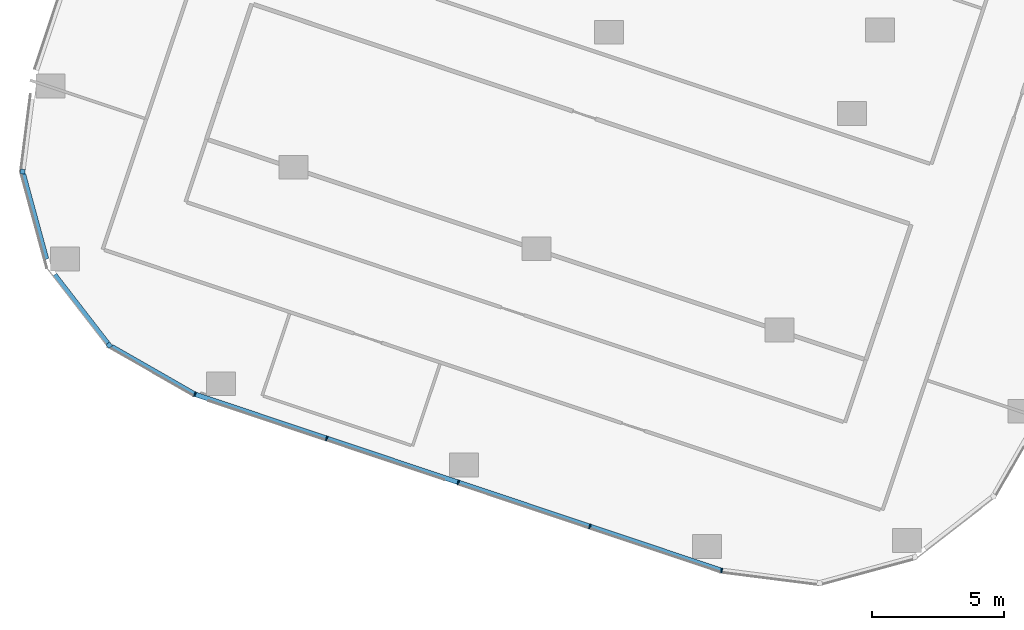
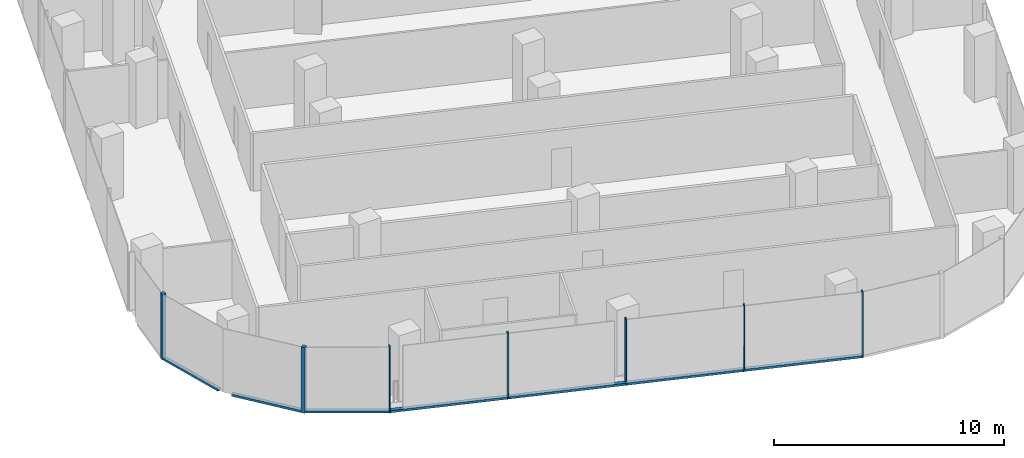
# One storey, part 2 of 32: 11 members, 5 elements without a shape of their own.
"""IFC4 building model written with IfcOpenShell, lengths in metres."""

import ifcopenshell
import ifcopenshell.guid

model = None  # the IFC model being written
_history = None  # IfcOwnerHistory: only IFC2X3 demands one
_inside = {}  # id of a spatial element -> (the spatial element, [elements in it])
_under = {}  # id of a project, library or spatial element -> (it, [spatial elements below it])
_declared = {}  # id of a project -> (the project, [libraries it declares])
_typed = {}  # id of a type object -> (the type object, [elements of that type])
_made_of = {}  # id of a material, layer set ... -> (it, [elements and type objects made of it])


def new_model(schema):
    """Start an empty IFC model of exactly this schema.

    Asked for "IFC4X3", IfcOpenShell would pick the latest addendum, in which some entities
    have other attributes; the version numbers below select the first issue.
    IFC2X3 requires an IfcOwnerHistory on every rooted entity: one is made here for all.
    """
    global model, _history
    if schema == "IFC4X3":
        model = ifcopenshell.file(schema_version=(4, 3, 0, 0))
    else:
        model = ifcopenshell.file(schema=schema)
    _inside.clear()
    _under.clear()
    _declared.clear()
    _typed.clear()
    _made_of.clear()
    _history = None
    if model.schema == "IFC2X3":
        org = make("IfcOrganization", Name="unknown")
        user = make(
            "IfcPersonAndOrganization",
            ThePerson=make("IfcPerson", FamilyName="unknown"),
            TheOrganization=org,
        )
        app = make(
            "IfcApplication",
            ApplicationDeveloper=org,
            Version="unknown",
            ApplicationFullName="unknown",
            ApplicationIdentifier="unknown",
        )
        _history = make(
            "IfcOwnerHistory",
            OwningUser=user,
            OwningApplication=app,
            ChangeAction="ADDED",
            CreationDate=0,
        )
    return model


def make(cls, **values):
    """One entity of the class cls with the attributes given. An attribute that is None is left unset."""
    return model.create_entity(
        cls, **{name: value for name, value in values.items() if value is not None}
    )


def rooted(cls, **values):
    """An entity with a GlobalId (a new one), such as an element, a storey or a relation."""
    return make(cls, GlobalId=ifcopenshell.guid.new(), OwnerHistory=_history, **values)


def si_unit(unit_type, name, prefix=None):
    """IfcSIUnit, for example si_unit("LENGTHUNIT", "METRE", prefix="MILLI")."""
    return make("IfcSIUnit", UnitType=unit_type, Prefix=prefix, Name=name)


def assignment(units):
    """IfcUnitAssignment: the units of a project."""
    return None if units is None else make("IfcUnitAssignment", Units=units)


def point(xyz):
    """IfcCartesianPoint."""
    return None if xyz is None else make("IfcCartesianPoint", Coordinates=xyz)


def direction(xyz):
    """IfcDirection."""
    return None if xyz is None else make("IfcDirection", DirectionRatios=xyz)


def frame(location, z_axis=None, x_axis=None):
    """IfcAxis2Placement3D, a coordinate frame: its origin and axes. An axis left out is left unset."""
    return make(
        "IfcAxis2Placement3D",
        Location=point(location),
        Axis=direction(z_axis),
        RefDirection=direction(x_axis),
    )


def frame_2d(location, x_axis=None):
    """IfcAxis2Placement2D, a coordinate frame in the plane: its origin and x axis."""
    return make(
        "IfcAxis2Placement2D", Location=point(location), RefDirection=direction(x_axis)
    )


def origin():
    """The frame at (0, 0, 0) with its axes left unset."""
    return frame((0.0, 0.0, 0.0))


def origin_2d():
    """The frame at (0, 0) in the plane with its x axis left unset."""
    return frame_2d((0.0, 0.0))


def place(relative_to, where):
    """IfcLocalPlacement: puts the frame where relative to a parent placement (None: the world)."""
    return make(
        "IfcLocalPlacement", PlacementRelTo=relative_to, RelativePlacement=where
    )


def context(
    kind, dimensions, precision=None, world=None, true_north=None, identifier=None
):
    """IfcGeometricRepresentationContext, for example the 3D "Model" context."""
    return make(
        "IfcGeometricRepresentationContext",
        ContextIdentifier=identifier,
        ContextType=kind,
        CoordinateSpaceDimension=dimensions,
        Precision=precision,
        WorldCoordinateSystem=world,
        TrueNorth=true_north,
    )


def subcontext(parent, identifier, kind, view, scale=None):
    """IfcGeometricRepresentationSubContext, for example "Body" below "Model"."""
    return make(
        "IfcGeometricRepresentationSubContext",
        ContextIdentifier=identifier,
        ContextType=kind,
        ParentContext=parent,
        TargetScale=scale,
        TargetView=view,
    )


def project(units=None, contexts=None):
    """IfcProject with its units and contexts."""
    return rooted(
        "IfcProject",
        Name="project",
        RepresentationContexts=contexts,
        UnitsInContext=assignment(units),
    )


def spatial(cls, under=None, at=None, **own):
    """A site, building, storey or space (cls), placed at a placement, below another one or the project."""
    s = rooted(cls, ObjectPlacement=at, **own)
    if under is not None:
        _under.setdefault(under.id(), (under, []))[1].append(s)
    return s


def profile(cls, at=None, kind="AREA", **sizes):
    """A parametric profile (cls). Its sizes go by their IFC names, for example OverallWidth=200.0."""
    return make(cls, ProfileType=kind, Position=at, **sizes)


def rectangle(**sizes):
    """IfcRectangleProfileDef."""
    return profile("IfcRectangleProfileDef", **sizes)


def extrude(swept, where, along, depth):
    """IfcExtrudedAreaSolid: the profile swept, set in the frame where, extruded along a direction by depth."""
    return make(
        "IfcExtrudedAreaSolid",
        SweptArea=swept,
        Position=where,
        ExtrudedDirection=direction(along),
        Depth=depth,
    )


def shape(context_of_items, identifier, shape_type, items):
    """IfcShapeRepresentation: the items that make up one representation, for example the "Body"."""
    return make(
        "IfcShapeRepresentation",
        ContextOfItems=context_of_items,
        RepresentationIdentifier=identifier,
        RepresentationType=shape_type,
        Items=items,
    )


def material(Name=None, Category=None):
    """IfcMaterial."""
    return make("IfcMaterial", Name=Name, Category=Category)


def material_profile(
    of_material, cross_section, Name=None, Category=None, Priority=None
):
    """IfcMaterialProfile: a cross section and its material."""
    return make(
        "IfcMaterialProfile",
        Name=Name,
        Material=of_material,
        Profile=cross_section,
        Priority=Priority,
        Category=Category,
    )


def profile_set(profiles, Name=None, composite=None):
    """IfcMaterialProfileSet."""
    return make(
        "IfcMaterialProfileSet",
        Name=Name,
        MaterialProfiles=profiles,
        CompositeProfile=composite,
    )


def made_of(thing, what):
    """Note that an element or type object is made of a material, layer set ...; save() writes the relation."""
    if what is not None:
        _made_of.setdefault(what.id(), (what, []))[1].append(thing)
    return thing


def type_object(cls, material=None, **own):
    """A type object (cls), such as IfcWallType, which elements share."""
    return made_of(rooted(cls, **own), material)


def element(
    cls,
    number,
    at=None,
    inside=None,
    cuts=None,
    type_object=None,
    material=None,
    context=None,
    identifier="Body",
    shape_type=None,
    held_by="IfcProductDefinitionShape",
    body=None,
    shapes=None,
    **own,
):
    """One element of the class cls, such as IfcWall. Its Tag is "e" and its number.

    at: its placement. inside: the storey or other place that contains it. cuts: it is an
    opening in that element (IfcRelVoidsElement). A single representation is given by context,
    identifier, shape_type and body (its items); several are given by shapes. held_by: the class
    of the entity that holds the representations. save() writes the other relations.
    """
    e = rooted(cls, Tag="e%d" % number, ObjectPlacement=at, **own)
    if body is not None:
        shapes = [shape(context, identifier, shape_type, body)]
    if shapes is not None:
        e.Representation = make(held_by, Representations=shapes)
    if inside is not None:
        _inside.setdefault(inside.id(), (inside, []))[1].append(e)
    if cuts is not None:
        rooted(
            "IfcRelVoidsElement", RelatingBuildingElement=cuts, RelatedOpeningElement=e
        )
    if type_object is not None:
        _typed.setdefault(type_object.id(), (type_object, []))[1].append(e)
    return made_of(e, material)


def aggregate(whole, parts):
    """IfcRelAggregates: a whole, such as a stair, and the parts it consists of."""
    return rooted("IfcRelAggregates", RelatingObject=whole, RelatedObjects=parts)


def save(model, path):
    """Write the relations noted so far, then the file.

    IfcRelAggregates (storeys below a building ...), IfcRelContainedInSpatialStructure (elements
    in a storey), IfcRelDefinesByType, IfcRelAssociatesMaterial and IfcRelDeclares: one each for
    every whole, place, type object, material and project.
    """
    for whole, parts in _under.values():
        aggregate(whole, parts)
    for where, things in _inside.values():
        rooted(
            "IfcRelContainedInSpatialStructure",
            RelatedElements=things,
            RelatingStructure=where,
        )
    for kind, things in _typed.values():
        rooted("IfcRelDefinesByType", RelatedObjects=things, RelatingType=kind)
    for what, things in _made_of.values():
        rooted("IfcRelAssociatesMaterial", RelatedObjects=things, RelatingMaterial=what)
    for by, libraries in _declared.values():
        rooted("IfcRelDeclares", RelatingContext=by, RelatedDefinitions=libraries)
    model.write(path)


model = new_model("IFC4")

# Units and contexts
model_context = context("Model", 3, precision=1e-05, world=origin(), true_north=direction((0.0, 1.0)))
body_context = subcontext(model_context, "Body", "Model", "MODEL_VIEW")
ifc_project = project(units=[si_unit("LENGTHUNIT", "METRE"), si_unit("AREAUNIT", "SQUARE_METRE"), si_unit("VOLUMEUNIT", "CUBIC_METRE"), si_unit("PLANEANGLEUNIT", "RADIAN"), si_unit("MASSUNIT", "GRAM", prefix="KILO")], contexts=[model_context])

# Site, building, storey
site_placement = place(None, origin())
site = spatial("IfcSite", under=ifc_project, at=site_placement, CompositionType="ELEMENT")
building_placement = place(site_placement, origin())
building = spatial("IfcBuilding", under=site, at=building_placement, Name="Orlundy Tower", CompositionType="ELEMENT")
storey_placement = place(building_placement, frame((0.0, 0.0, 149.10009765625)))
storey = spatial("IfcBuildingStorey", under=building, at=storey_placement, Name="L38", CompositionType="ELEMENT", Elevation=149.10009765625)

# Curtain wall, member
ifc_material_1 = material(Name="Aluminium bronze anodised", Category="aluminium")
curtain_wall_type = type_object("IfcCurtainWallType", Name="CW1 wall", PredefinedType="NOTDEFINED", material=ifc_material_1)
curtain_wall_1_placement = place(storey_placement, origin())
curtain_wall_1 = element("IfcCurtainWall", 1, at=curtain_wall_1_placement, inside=storey, type_object=curtain_wall_type, Name="CW1 run 09", PredefinedType="NOTDEFINED")
ifc_material_2 = material(Name="Aluminium bronze anodised", Category="aluminium")
ifc_material_profile_1 = material_profile(ifc_material_2, rectangle(XDim=0.179931640625, YDim=0.179931640625, at=origin_2d()), Name="CW1 corner post 180x180")
ifc_profile_set_1 = profile_set([ifc_material_profile_1], Name="Aluminium bronze anodised")
member_type_1 = type_object("IfcMemberType", Name="CW1 corner post 180x180", PredefinedType="MULLION", material=ifc_profile_set_1)
member_1_placement = place(storey_placement, frame((-32.115234375, -51.3232421875, -0.400146484375), z_axis=(0.0, 0.0, 1.0), x_axis=(-0.790614183516, -0.61231463548, 0.0)))
member_1 = element("IfcMember", 2, at=member_1_placement, type_object=member_type_1, Name="CW1 mullion 23", PredefinedType="MULLION", context=body_context, shape_type="SweptSolid", body=[
    extrude(rectangle(XDim=0.179931640625, YDim=0.179931640625, at=origin_2d()), origin(), (0.0, 0.0, 1.0), 3.5),
])

curtain_wall_2_placement = place(storey_placement, origin())
curtain_wall_2 = element("IfcCurtainWall", 3, at=curtain_wall_2_placement, inside=storey, type_object=curtain_wall_type, Name="CW1 run 011", PredefinedType="NOTDEFINED")
member_2_placement = place(storey_placement, frame((-35.390625, -44.75341796875, -0.400146484375), z_axis=(0.0, 0.0, 1.0), x_axis=(-0.992031053136, 0.125993609416, 0.0)))
member_2 = element("IfcMember", 4, at=member_2_placement, type_object=member_type_1, Name="CW1 mullion 25", PredefinedType="MULLION", context=body_context, shape_type="SweptSolid", body=[
    extrude(rectangle(XDim=0.179931640625, YDim=0.179931640625, at=origin_2d()), origin(), (0.0, 0.0, 1.0), 3.5),
])
aggregate(curtain_wall_2, [member_2])

# Curtain wall, members
curtain_wall_3_placement = place(storey_placement, origin())
curtain_wall_3 = element("IfcCurtainWall", 5, at=curtain_wall_3_placement, inside=storey, type_object=curtain_wall_type, Name="CW1 run 07", PredefinedType="NOTDEFINED")
ifc_material_3 = material(Name="Aluminium bronze anodised", Category="aluminium")
ifc_material_profile_2 = material_profile(ifc_material_3, rectangle(XDim=0.179931640625, YDim=0.050048828125, at=origin_2d()), Name="CW1 mullion 50x180")
ifc_profile_set_2 = profile_set([ifc_material_profile_2], Name="Aluminium bronze anodised")
member_type_2 = type_object("IfcMemberType", Name="CW1 mullion 50x180", PredefinedType="MULLION", material=ifc_profile_set_2)
member_3_placement = place(storey_placement, frame((-8.942138671875, -59.84521484375, -0.400146484375), z_axis=(0.0, 0.0, 1.0), x_axis=(-0.222844071431, -0.974854101816, 0.0)))
member_3 = element("IfcMember", 6, at=member_3_placement, type_object=member_type_2, Name="CW1 mullion 18", PredefinedType="MULLION", context=body_context, shape_type="SweptSolid", body=[
    extrude(rectangle(XDim=0.179931640625, YDim=0.050048828125, at=origin_2d()), origin(), (0.0, 0.0, 1.0), 3.5),
])
member_4_placement = place(storey_placement, frame((-13.92919921875, -58.176513671875, -0.400146484375), z_axis=(0.0, 0.0, 1.0), x_axis=(-0.317284709186, -0.948330329219, 0.0)))
member_4 = element("IfcMember", 7, at=member_4_placement, type_object=member_type_2, Name="CW1 mullion 19", PredefinedType="MULLION", context=body_context, shape_type="SweptSolid", body=[
    extrude(rectangle(XDim=0.179931640625, YDim=0.050048828125, at=origin_2d()), origin(), (0.0, 0.0, 1.0), 3.5),
])
member_5_placement = place(storey_placement, frame((-18.907958984375, -56.5107421875, -0.400146484375), z_axis=(0.0, 0.0, 1.0), x_axis=(-0.317284709186, -0.948330329219, 0.0)))
member_5 = element("IfcMember", 8, at=member_5_placement, type_object=member_type_2, Name="CW1 mullion 20", PredefinedType="MULLION", context=body_context, shape_type="SweptSolid", body=[
    extrude(rectangle(XDim=0.179931640625, YDim=0.050048828125, at=origin_2d()), origin(), (0.0, 0.0, 1.0), 3.5),
])
member_6_placement = place(storey_placement, frame((-23.88671875, -54.84521484375, -0.400146484375), z_axis=(0.0, 0.0, 1.0), x_axis=(-0.317284709186, -0.948330329219, 0.0)))
member_6 = element("IfcMember", 9, at=member_6_placement, type_object=member_type_2, Name="CW1 mullion 21", PredefinedType="MULLION", context=body_context, shape_type="SweptSolid", body=[
    extrude(rectangle(XDim=0.179931640625, YDim=0.050048828125, at=origin_2d()), origin(), (0.0, 0.0, 1.0), 3.5),
])

# Curtain wall, member
curtain_wall_4_placement = place(storey_placement, origin())
curtain_wall_4 = element("IfcCurtainWall", 10, at=curtain_wall_4_placement, inside=storey, type_object=curtain_wall_type, Name="CW1 run 08", PredefinedType="NOTDEFINED")
member_7_placement = place(storey_placement, frame((-28.8740234375, -53.176513671875, -0.400146484375), z_axis=(0.0, 0.0, 1.0), x_axis=(-0.408800504926, -0.912623770878, 0.0)))
member_7 = element("IfcMember", 11, at=member_7_placement, type_object=member_type_2, Name="CW1 mullion 22", PredefinedType="MULLION", context=body_context, shape_type="SweptSolid", body=[
    extrude(rectangle(XDim=0.179931640625, YDim=0.050048828125, at=origin_2d()), origin(), (0.0, 0.0, 1.0), 3.5),
])

# Member
ifc_material_4 = material(Name="Aluminium bronze anodised", Category="aluminium")
ifc_material_profile_3 = material_profile(ifc_material_4, rectangle(XDim=0.179931640625, YDim=0.1201171875, at=origin_2d()), Name="CW1 transom 180x120")
ifc_profile_set_3 = profile_set([ifc_material_profile_3], Name="Aluminium bronze anodised")
member_type_3 = type_object("IfcMemberType", Name="CW1 transom 180x120", PredefinedType="USERDEFINED", material=ifc_profile_set_3)
member_8_placement = place(storey_placement, frame((-8.966064453125, -59.837158203125, -0.340087890625), z_axis=(-0.948331068093, 0.317282500761, 0.0), x_axis=(-0.317282500761, -0.948331068093, 0.0)))
member_8 = element("IfcMember", 12, at=member_8_placement, type_object=member_type_3, Name="CW1 transom", ObjectType="TRANSOM", PredefinedType="USERDEFINED", context=body_context, shape_type="SweptSolid", body=[
    extrude(rectangle(XDim=0.179931640625, YDim=0.1201171875, at=origin_2d()), origin(), (0.0, 0.0, 1.0), 20.96728515625),
])

aggregate(curtain_wall_3, [member_3, member_4, member_5, member_6, member_8])

member_9_placement = place(storey_placement, frame((-28.895751953125, -53.1640625, -0.340087890625), z_axis=(-0.868118305062, 0.496357339441, 0.0), x_axis=(-0.496357339441, -0.868118305062, 0.0)))
member_9 = element("IfcMember", 13, at=member_9_placement, type_object=member_type_3, Name="CW1 transom", ObjectType="TRANSOM", PredefinedType="USERDEFINED", context=body_context, shape_type="SweptSolid", body=[
    extrude(rectangle(XDim=0.179931640625, YDim=0.1201171875, at=origin_2d()), origin(), (0.0, 0.0, 1.0), 3.611328125),
])

aggregate(curtain_wall_4, [member_7, member_9])

member_10_placement = place(storey_placement, frame((-32.17041015625, -51.252197265625, -0.340087890625), z_axis=(-0.612276659315, 0.790643593826, 0.0), x_axis=(-0.790643593826, -0.612276659315, 0.0)))
member_10 = element("IfcMember", 14, at=member_10_placement, type_object=member_type_3, Name="CW1 transom", ObjectType="TRANSOM", PredefinedType="USERDEFINED", context=body_context, shape_type="SweptSolid", body=[
    extrude(rectangle(XDim=0.179931640625, YDim=0.1201171875, at=origin_2d()), origin(), (0.0, 0.0, 1.0), 3.28369140625),
])

aggregate(curtain_wall_1, [member_1, member_10])

# Curtain wall, member
curtain_wall_5_placement = place(storey_placement, origin())
curtain_wall_5 = element("IfcCurtainWall", 15, at=curtain_wall_5_placement, inside=storey, type_object=curtain_wall_type, Name="CW1 run 010", PredefinedType="NOTDEFINED")
member_11_placement = place(storey_placement, frame((-34.488037109375, -48.067138671875, -0.340087890625), z_axis=(-0.262795481313, 0.964851561123, 0.0), x_axis=(-0.964851561123, -0.262795481313, 0.0)))
member_11 = element("IfcMember", 16, at=member_11_placement, type_object=member_type_3, Name="CW1 transom", ObjectType="TRANSOM", PredefinedType="USERDEFINED", context=body_context, shape_type="SweptSolid", body=[
    extrude(rectangle(XDim=0.179931640625, YDim=0.1201171875, at=origin_2d()), origin(), (0.0, 0.0, 1.0), 3.3369140625),
])
aggregate(curtain_wall_5, [member_11])

save(model, "model.ifc")
